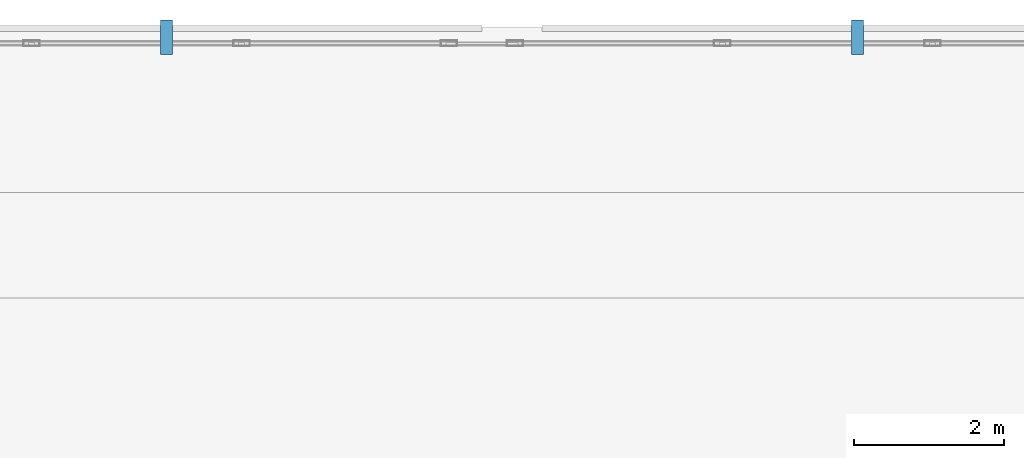
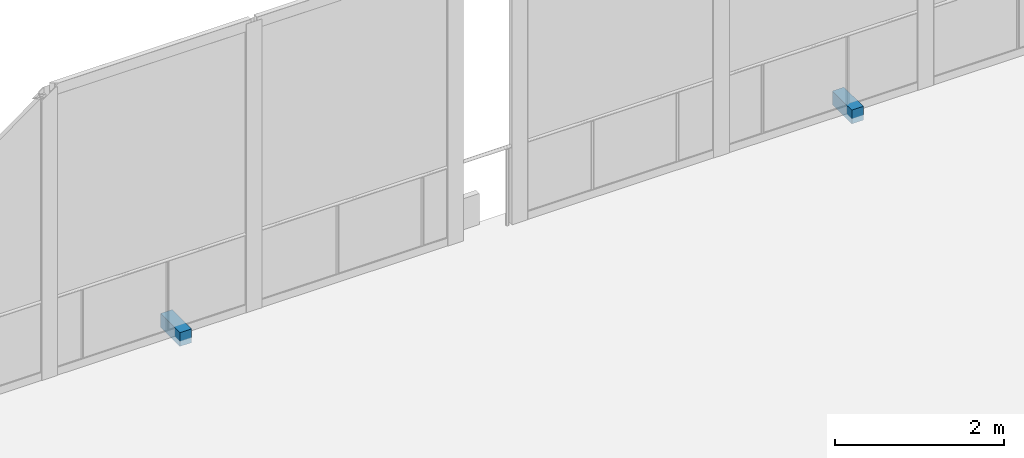
# One storey, part 22 of 32: 2 discrete accessories.
"""IFC4 building model written with IfcOpenShell, lengths in metres."""

from ifc_helpers import new_model, si_unit, direction, frame, origin, origin_2d, place, context, subcontext, project, spatial, rectangle, extrude, material, type_object, element, save


model = new_model("IFC4")

# Units and contexts
model_context = context("Model", 3, precision=1e-05, world=origin(), true_north=direction((0.0, 1.0)))
body_context = subcontext(model_context, "Body", "Model", "MODEL_VIEW")
ifc_project = project(units=[si_unit("LENGTHUNIT", "METRE"), si_unit("AREAUNIT", "SQUARE_METRE"), si_unit("VOLUMEUNIT", "CUBIC_METRE"), si_unit("PLANEANGLEUNIT", "RADIAN"), si_unit("MASSUNIT", "GRAM", prefix="KILO")], contexts=[model_context])

# Site, building, storey
site_placement = place(None, origin())
site = spatial("IfcSite", under=ifc_project, at=site_placement, CompositionType="ELEMENT")
building_placement = place(site_placement, origin())
building = spatial("IfcBuilding", under=site, at=building_placement, Name="Narakoshi Arena Tower", CompositionType="ELEMENT")
storey_placement = place(building_placement, frame((0.0, 0.0, 4.5)))
storey = spatial("IfcBuildingStorey", under=building, at=storey_placement, Name="L01", CompositionType="ELEMENT", Elevation=4.5)

# Discrete accessories
ifc_material = material(Name="Structural steel S355J2", Category="steel")
discrete_accessory_type = type_object("IfcDiscreteAccessoryType", Name="ACC-BRK-SCR", PredefinedType="BRACKET", material=ifc_material)
for number, where, z_axis, x_axis, name in (
    (1, (66.0, 95.8701171875, -0.080078125), (0.0, 0.0, 1.0), (-1.0, 0.0, 0.0), "L01 Solar Screen Support Bracket SHD-L01-SUN-CN1"),
    (2, (56.800048828125, 95.8701171875, -0.080078125), (0.0, 0.0, 1.0), (-1.0, 0.0, 0.0), "L01 Solar Screen Support Bracket SHD-L01-SUN-CN2"),
):
    element("IfcDiscreteAccessory", number, at=place(storey_placement, frame(where, z_axis=z_axis, x_axis=x_axis)), inside=storey, type_object=discrete_accessory_type, Name=name, PredefinedType="BRACKET", context=body_context, shape_type="SweptSolid", body=[
        extrude(rectangle(XDim=0.159912109375, YDim=0.4599609375, at=origin_2d()), origin(), (0.0, 0.0, 1.0), 0.199951171875),
    ])

save(model, "model.ifc")
